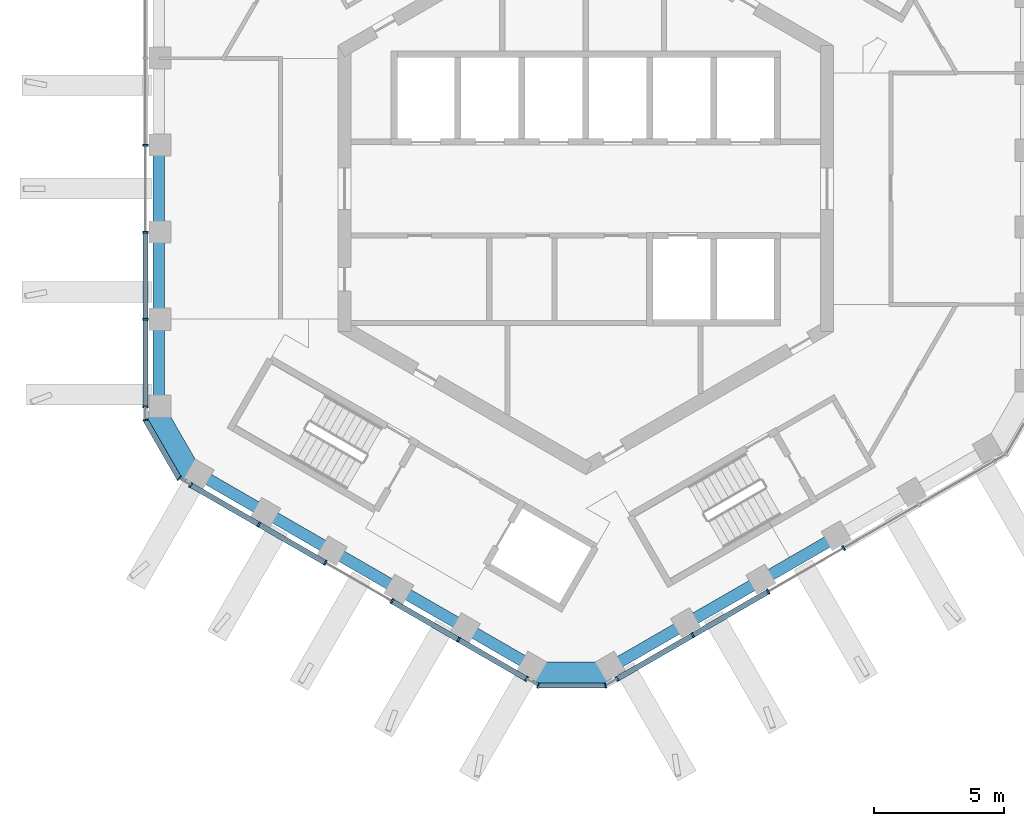
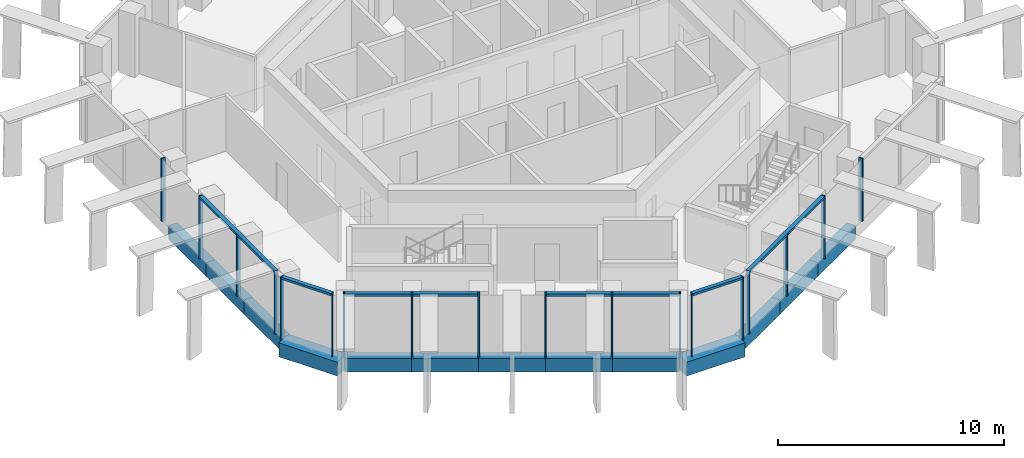
# One storey, part 2 of 17: 24 members, 13 beams, 5 elements without a shape of their own.
"""IFC4 building model written with IfcOpenShell, lengths in metres."""

from ifc_helpers import new_model, si_unit, direction, frame, origin, origin_2d, place, context, subcontext, project, spatial, rectangle, extrude, material, layer, layer_set, material_profile, profile_set, type_object, element, aggregate, save


model = new_model("IFC4")

# Units and contexts
model_context = context("Model", 3, precision=1e-05, world=origin(), true_north=direction((0.0, 1.0)))
body_context = subcontext(model_context, "Body", "Model", "MODEL_VIEW")
ifc_project = project(units=[si_unit("LENGTHUNIT", "METRE"), si_unit("AREAUNIT", "SQUARE_METRE"), si_unit("VOLUMEUNIT", "CUBIC_METRE"), si_unit("PLANEANGLEUNIT", "RADIAN"), si_unit("MASSUNIT", "GRAM", prefix="KILO")], contexts=[model_context])

# Site, building, storey
site_placement = place(None, origin())
site = spatial("IfcSite", under=ifc_project, at=site_placement, CompositionType="ELEMENT")
building_placement = place(site_placement, origin())
building = spatial("IfcBuilding", under=site, at=building_placement, Name="Ayvan Gate Tower", CompositionType="ELEMENT")
storey_placement = place(building_placement, frame((0.0, 0.0, 249.5)))
storey = spatial("IfcBuildingStorey", under=building, at=storey_placement, Name="L67", CompositionType="ELEMENT", Elevation=249.5)

# Beams
ifc_material_1 = material(Name="Concrete C40/50", Category="concrete")
ifc_material_profile_1 = material_profile(ifc_material_1, rectangle(XDim=0.800048828125, YDim=0.75, at=origin_2d()), Name="RC 800x750")
ifc_profile_set_1 = profile_set([ifc_material_profile_1], Name="Concrete C40/50")
beam_type_1 = type_object("IfcBeamType", Name="Corner spandrel beam RC 800x750 C40/50", PredefinedType="BEAM", material=ifc_profile_set_1)
for number, where, z_axis, x_axis, name in (
    (1, (-16.556640625, -8.428955078125, -0.72509765625), (0.499990139034, -0.866031096941, 0.0), (0.866031096941, 0.499990139034, 0.0), "SB-L67-24"),
    (2, (-2.021484375, -18.552978515625, -0.72509765625), (1.0, 0.0, 0.0), (0.0, 1.0, 0.0), "SB-L67-30"),
):
    element("IfcBeam", number, at=place(storey_placement, frame(where, z_axis=z_axis, x_axis=x_axis)), inside=storey, type_object=beam_type_1, Name=name, PredefinedType="BEAM", context=body_context, shape_type="SweptSolid", body=[
        extrude(rectangle(XDim=0.800048828125, YDim=0.75, at=origin_2d()), origin(), (0.0, 0.0, 1.0), 3.0),
    ])
ifc_material_profile_2 = material_profile(ifc_material_1, rectangle(XDim=0.449951171875, YDim=0.75, at=origin_2d()), Name="RC 450x750")
ifc_profile_set_2 = profile_set([ifc_material_profile_2], Name="Concrete C40/50")
beam_type_2 = type_object("IfcBeamType", Name="Spandrel beam RC 450x750 C40/50", PredefinedType="BEAM", material=ifc_profile_set_2)
for number, where, z_axis, x_axis, name in (
    (3, (-16.365966796875, 1.663818359375, -0.72509765625), (0.0, -1.0, 0.0), (1.0, 0.0, 0.0), "SB-L67-21"),
    (4, (-16.365966796875, -1.663818359375, -0.72509765625), (0.0, -1.0, 0.0), (1.0, 0.0, 0.0), "SB-L67-22"),
    (5, (-16.365966796875, -4.991455078125, -0.72509765625), (0.0, -1.0, 0.0), (1.0, 0.0, 0.0), "SB-L67-23"),
):
    element("IfcBeam", number, at=place(storey_placement, frame(where, z_axis=z_axis, x_axis=x_axis)), inside=storey, type_object=beam_type_2, Name=name, PredefinedType="BEAM", context=body_context, shape_type="SweptSolid", body=[
        extrude(rectangle(XDim=0.449951171875, YDim=0.75, at=origin_2d()), origin(), (0.0, 0.0, 1.0), 3.32763671875),
    ])
for number, where, z_axis, x_axis, name in (
    (6, (-14.865966796875, -10.9169921875, -0.72509765625), (0.866021110356, -0.500007436363, 0.0), (0.500007436363, 0.866021110356, 0.0), "SB-L67-25"),
    (7, (-12.297119140625, -12.400146484375, -0.72509765625), (0.866021110356, -0.500007436363, 0.0), (0.500007436363, 0.866021110356, 0.0), "SB-L67-26"),
):
    element("IfcBeam", number, at=place(storey_placement, frame(where, z_axis=z_axis, x_axis=x_axis)), inside=storey, type_object=beam_type_2, Name=name, PredefinedType="BEAM", context=body_context, shape_type="SweptSolid", body=[
        extrude(rectangle(XDim=0.449951171875, YDim=0.75, at=origin_2d()), origin(), (0.0, 0.0, 1.0), 2.96630859375),
    ])
beam_placement = place(storey_placement, frame((-9.728271484375, -13.88330078125, -0.72509765625), z_axis=(0.866006048917, -0.500033522115, 0.0), x_axis=(0.500033522115, 0.866006048917, 0.0)))
element("IfcBeam", 8, at=beam_placement, inside=storey, type_object=beam_type_2, Name="SB-L67-27", PredefinedType="BEAM", context=body_context, shape_type="SweptSolid", body=[
    extrude(rectangle(XDim=0.449951171875, YDim=0.75, at=origin_2d()), origin(), (0.0, 0.0, 1.0), 2.966552734375),
])
for number, where, z_axis, x_axis, name in (
    (9, (-7.1591796875, -15.36669921875, -0.72509765625), (0.866021110356, -0.500007436363, 0.0), (0.500007436363, 0.866021110356, 0.0), "SB-L67-28"),
    (10, (-4.59033203125, -16.849853515625, -0.72509765625), (0.866021110356, -0.500007436363, 0.0), (0.500007436363, 0.866021110356, 0.0), "SB-L67-29"),
):
    element("IfcBeam", number, at=place(storey_placement, frame(where, z_axis=z_axis, x_axis=x_axis)), inside=storey, type_object=beam_type_2, Name=name, PredefinedType="BEAM", context=body_context, shape_type="SweptSolid", body=[
        extrude(rectangle(XDim=0.449951171875, YDim=0.75, at=origin_2d()), origin(), (0.0, 0.0, 1.0), 2.96630859375),
    ])
for number, where, z_axis, x_axis, name in (
    (11, (0.978515625, -18.3330078125, -0.72509765625), (0.866026756424, 0.499997657153, 0.0), (-0.499997657153, 0.866026756424, 0.0), "SB-L67-31"),
    (12, (3.8603515625, -16.669189453125, -0.72509765625), (0.866026756424, 0.499997657153, 0.0), (-0.499997657153, 0.866026756424, 0.0), "SB-L67-32"),
    (13, (6.7421875, -15.00537109375, -0.72509765625), (0.866026756424, 0.499997657153, 0.0), (-0.499997657153, 0.866026756424, 0.0), "SB-L67-33"),
):
    element("IfcBeam", number, at=place(storey_placement, frame(where, z_axis=z_axis, x_axis=x_axis)), inside=storey, type_object=beam_type_2, Name=name, PredefinedType="BEAM", context=body_context, shape_type="SweptSolid", body=[
        extrude(rectangle(XDim=0.449951171875, YDim=0.75, at=origin_2d()), origin(), (0.0, 0.0, 1.0), 3.32763671875),
    ])

# Curtain wall, members
ifc_material_2 = material(Name="Bronze anodised aluminium", Category="aluminium")
ifc_layer_1 = layer(ifc_material_2, 0.199951171875)
ifc_layer_set_1 = layer_set([ifc_layer_1], Name="Bronze anodised aluminium")
curtain_wall_type_1 = type_object("IfcCurtainWallType", Name="Stick curtain wall CW-2", PredefinedType="NOTDEFINED", material=ifc_layer_set_1)
curtain_wall_1_placement = place(storey_placement, origin())
curtain_wall_1 = element("IfcCurtainWall", 14, at=curtain_wall_1_placement, inside=storey, type_object=curtain_wall_type_1, Name="Stick curtain wall CW-2 L67", PredefinedType="NOTDEFINED")
ifc_material_profile_3 = material_profile(ifc_material_2, rectangle(XDim=0.199951171875, YDim=0.070068359375, at=origin_2d()), Name="Stick curtain wall CW-2 mullion 200 x 70")
ifc_profile_set_3 = profile_set([ifc_material_profile_3], Name="Bronze anodised aluminium")
member_type_1 = type_object("IfcMemberType", Name="Stick curtain wall CW-2 mullion 200 x 70", PredefinedType="MULLION", material=ifc_profile_set_3)
member_1_placement = place(storey_placement, frame((-16.87841796875, 1.66845703125, 0.0), z_axis=(0.0, 0.0, 1.0), x_axis=(-1.0, 0.0, 0.0)))
member_1 = element("IfcMember", 15, at=member_1_placement, type_object=member_type_1, Name="CW-2 mullion 3", PredefinedType="MULLION", context=body_context, shape_type="SweptSolid", body=[
    extrude(rectangle(XDim=0.199951171875, YDim=0.070068359375, at=origin_2d()), origin(), (0.0, 0.0, 1.0), 3.39990234375),
])
member_2_placement = place(storey_placement, frame((-16.87841796875, -1.66845703125, 0.0), z_axis=(0.0, 0.0, 1.0), x_axis=(-1.0, 0.0, 0.0)))
member_2 = element("IfcMember", 16, at=member_2_placement, type_object=member_type_1, Name="CW-2 mullion 4", PredefinedType="MULLION", context=body_context, shape_type="SweptSolid", body=[
    extrude(rectangle(XDim=0.199951171875, YDim=0.070068359375, at=origin_2d()), origin(), (0.0, 0.0, 1.0), 3.39990234375),
])
member_3_placement = place(storey_placement, frame((-16.87841796875, -5.006591796875, 0.0), z_axis=(0.0, 0.0, 1.0), x_axis=(-1.0, 0.0, 0.0)))
member_3 = element("IfcMember", 17, at=member_3_placement, type_object=member_type_1, Name="CW-2 mullion 5", PredefinedType="MULLION", context=body_context, shape_type="SweptSolid", body=[
    extrude(rectangle(XDim=0.199951171875, YDim=0.070068359375, at=origin_2d()), origin(), (0.0, 0.0, 1.0), 3.39990234375),
])
member_4_placement = place(storey_placement, frame((-16.87841796875, -8.3603515625, 0.0), z_axis=(0.0, 0.0, 1.0), x_axis=(-1.0, 0.0, 0.0)))
member_4 = element("IfcMember", 18, at=member_4_placement, type_object=member_type_1, Name="CW-2 mullion 6", PredefinedType="MULLION", context=body_context, shape_type="SweptSolid", body=[
    extrude(rectangle(XDim=0.199951171875, YDim=0.070068359375, at=origin_2d()), origin(), (0.0, 0.0, 1.0), 3.39990234375),
])

curtain_wall_2_placement = place(storey_placement, origin())
curtain_wall_2 = element("IfcCurtainWall", 19, at=curtain_wall_2_placement, inside=storey, type_object=curtain_wall_type_1, Name="Stick curtain wall CW-2 L67", PredefinedType="NOTDEFINED")
member_5_placement = place(storey_placement, frame((-15.1455078125, -11.362060546875, 0.0), z_axis=(0.0, 0.0, 1.0), x_axis=(-0.5, -0.866025403784, 0.0)))
member_5 = element("IfcMember", 20, at=member_5_placement, type_object=member_type_1, Name="CW-2 mullion 1", PredefinedType="MULLION", context=body_context, shape_type="SweptSolid", body=[
    extrude(rectangle(XDim=0.199951171875, YDim=0.070068359375, at=origin_2d()), origin(), (0.0, 0.0, 1.0), 3.39990234375),
])
member_6_placement = place(storey_placement, frame((-12.534423828125, -12.86962890625, 0.0), z_axis=(0.0, 0.0, 1.0), x_axis=(-0.5, -0.866025403784, 0.0)))
member_6 = element("IfcMember", 21, at=member_6_placement, type_object=member_type_1, Name="CW-2 mullion 2", PredefinedType="MULLION", context=body_context, shape_type="SweptSolid", body=[
    extrude(rectangle(XDim=0.199951171875, YDim=0.070068359375, at=origin_2d()), origin(), (0.0, 0.0, 1.0), 3.39990234375),
])
member_7_placement = place(storey_placement, frame((-9.982177734375, -14.343017578125, 0.0), z_axis=(0.0, 0.0, 1.0), x_axis=(-0.5, -0.866025403784, 0.0)))
member_7 = element("IfcMember", 22, at=member_7_placement, type_object=member_type_1, Name="CW-2 mullion 3", PredefinedType="MULLION", context=body_context, shape_type="SweptSolid", body=[
    extrude(rectangle(XDim=0.199951171875, YDim=0.070068359375, at=origin_2d()), origin(), (0.0, 0.0, 1.0), 3.39990234375),
])
member_8_placement = place(storey_placement, frame((-7.429931640625, -15.81640625, 0.0), z_axis=(0.0, 0.0, 1.0), x_axis=(-0.5, -0.866025403784, 0.0)))
member_8 = element("IfcMember", 23, at=member_8_placement, type_object=member_type_1, Name="CW-2 mullion 4", PredefinedType="MULLION", context=body_context, shape_type="SweptSolid", body=[
    extrude(rectangle(XDim=0.199951171875, YDim=0.070068359375, at=origin_2d()), origin(), (0.0, 0.0, 1.0), 3.39990234375),
])
member_9_placement = place(storey_placement, frame((-4.878662109375, -17.28955078125, 0.0), z_axis=(0.0, 0.0, 1.0), x_axis=(-0.5, -0.866025403784, 0.0)))
member_9 = element("IfcMember", 24, at=member_9_placement, type_object=member_type_1, Name="CW-2 mullion 5", PredefinedType="MULLION", context=body_context, shape_type="SweptSolid", body=[
    extrude(rectangle(XDim=0.199951171875, YDim=0.070068359375, at=origin_2d()), origin(), (0.0, 0.0, 1.0), 3.39990234375),
])
member_10_placement = place(storey_placement, frame((-2.26708984375, -18.79736328125, 0.0), z_axis=(0.0, 0.0, 1.0), x_axis=(-0.5, -0.866025403784, 0.0)))
member_10 = element("IfcMember", 25, at=member_10_placement, type_object=member_type_1, Name="CW-2 mullion 6", PredefinedType="MULLION", context=body_context, shape_type="SweptSolid", body=[
    extrude(rectangle(XDim=0.199951171875, YDim=0.070068359375, at=origin_2d()), origin(), (0.0, 0.0, 1.0), 3.39990234375),
])

curtain_wall_3_placement = place(storey_placement, origin())
curtain_wall_3 = element("IfcCurtainWall", 26, at=curtain_wall_3_placement, inside=storey, type_object=curtain_wall_type_1, Name="Stick curtain wall CW-2 L67", PredefinedType="NOTDEFINED")
member_11_placement = place(storey_placement, frame((1.19873046875, -18.79736328125, 0.0), z_axis=(0.0, 0.0, 1.0), x_axis=(0.5, -0.866025403784, 0.0)))
member_11 = element("IfcMember", 27, at=member_11_placement, type_object=member_type_1, Name="CW-2 mullion 1", PredefinedType="MULLION", context=body_context, shape_type="SweptSolid", body=[
    extrude(rectangle(XDim=0.199951171875, YDim=0.070068359375, at=origin_2d()), origin(), (0.0, 0.0, 1.0), 3.39990234375),
])
member_12_placement = place(storey_placement, frame((4.103515625, -17.120361328125, 0.0), z_axis=(0.0, 0.0, 1.0), x_axis=(0.5, -0.866025403784, 0.0)))
member_12 = element("IfcMember", 28, at=member_12_placement, type_object=member_type_1, Name="CW-2 mullion 2", PredefinedType="MULLION", context=body_context, shape_type="SweptSolid", body=[
    extrude(rectangle(XDim=0.199951171875, YDim=0.070068359375, at=origin_2d()), origin(), (0.0, 0.0, 1.0), 3.39990234375),
])
member_13_placement = place(storey_placement, frame((6.994384765625, -15.451416015625, 0.0), z_axis=(0.0, 0.0, 1.0), x_axis=(0.5, -0.866025403784, 0.0)))
member_13 = element("IfcMember", 29, at=member_13_placement, type_object=member_type_1, Name="CW-2 mullion 3", PredefinedType="MULLION", context=body_context, shape_type="SweptSolid", body=[
    extrude(rectangle(XDim=0.199951171875, YDim=0.070068359375, at=origin_2d()), origin(), (0.0, 0.0, 1.0), 3.39990234375),
])
member_14_placement = place(storey_placement, frame((9.88427734375, -13.78271484375, 0.0), z_axis=(0.0, 0.0, 1.0), x_axis=(0.5, -0.866025403784, 0.0)))
member_14 = element("IfcMember", 30, at=member_14_placement, type_object=member_type_1, Name="CW-2 mullion 4", PredefinedType="MULLION", context=body_context, shape_type="SweptSolid", body=[
    extrude(rectangle(XDim=0.199951171875, YDim=0.070068359375, at=origin_2d()), origin(), (0.0, 0.0, 1.0), 3.39990234375),
])

# Member
ifc_material_profile_4 = material_profile(ifc_material_2, rectangle(XDim=0.199951171875, YDim=0.1201171875, at=origin_2d()), Name="Stick curtain wall CW-2 transom 200 x 120")
ifc_profile_set_4 = profile_set([ifc_material_profile_4], Name="Bronze anodised aluminium")
member_type_2 = type_object("IfcMemberType", Name="Stick curtain wall CW-2 transom 200 x 120", PredefinedType="USERDEFINED", material=ifc_profile_set_4)
member_15_placement = place(storey_placement, frame((-16.87841796875, -1.70361328125, 3.340087890625), z_axis=(0.0, -1.0, 0.0), x_axis=(1.0, 0.0, 0.0)))
member_15 = element("IfcMember", 31, at=member_15_placement, type_object=member_type_2, Name="CW-2 transom 2", ObjectType="TRANSOM", PredefinedType="USERDEFINED", context=body_context, shape_type="SweptSolid", body=[
    extrude(rectangle(XDim=0.199951171875, YDim=0.1201171875, at=origin_2d()), origin(), (0.0, 0.0, 1.0), 6.65673828125),
])

aggregate(curtain_wall_1, [member_1, member_2, member_3, member_4, member_15])

member_16_placement = place(storey_placement, frame((-15.1455078125, -11.362060546875, 3.340087890625), z_axis=(0.86603948351, -0.499975612407, 0.0), x_axis=(0.499975612407, 0.86603948351, 0.0)))
member_16 = element("IfcMember", 32, at=member_16_placement, type_object=member_type_2, Name="CW-2 transom 1", ObjectType="TRANSOM", PredefinedType="USERDEFINED", context=body_context, shape_type="SweptSolid", body=[
    extrude(rectangle(XDim=0.199951171875, YDim=0.1201171875, at=origin_2d()), origin(), (0.0, 0.0, 1.0), 5.927001953125),
])

member_17_placement = place(storey_placement, frame((-7.399658203125, -15.833984375, 3.340087890625), z_axis=(0.866018887846, -0.500011285767, 0.0), x_axis=(0.500011285767, 0.866018887846, 0.0)))
member_17 = element("IfcMember", 33, at=member_17_placement, type_object=member_type_2, Name="CW-2 transom 2", ObjectType="TRANSOM", PredefinedType="USERDEFINED", context=body_context, shape_type="SweptSolid", body=[
    extrude(rectangle(XDim=0.199951171875, YDim=0.1201171875, at=origin_2d()), origin(), (0.0, 0.0, 1.0), 5.926513671875),
])

aggregate(curtain_wall_2, [member_5, member_6, member_7, member_8, member_9, member_10, member_16, member_17])

member_18_placement = place(storey_placement, frame((1.19873046875, -18.79736328125, 3.340087890625), z_axis=(0.866018245766, 0.500012397847, 0.0), x_axis=(-0.500012397847, 0.866018245766, 0.0)))
member_18 = element("IfcMember", 34, at=member_18_placement, type_object=member_type_2, Name="CW-2 transom 1", ObjectType="TRANSOM", PredefinedType="USERDEFINED", context=body_context, shape_type="SweptSolid", body=[
    extrude(rectangle(XDim=0.199951171875, YDim=0.1201171875, at=origin_2d()), origin(), (0.0, 0.0, 1.0), 6.656982421875),
])

aggregate(curtain_wall_3, [member_11, member_12, member_13, member_14, member_18])

# Curtain wall, members
ifc_layer_2 = layer(ifc_material_2, 0.199951171875)
ifc_layer_set_2 = layer_set([ifc_layer_2], Name="Bronze anodised aluminium")
curtain_wall_type_2 = type_object("IfcCurtainWallType", Name="Stick curtain wall CW-6", PredefinedType="NOTDEFINED", material=ifc_layer_set_2)
curtain_wall_4_placement = place(storey_placement, origin())
curtain_wall_4 = element("IfcCurtainWall", 35, at=curtain_wall_4_placement, inside=storey, type_object=curtain_wall_type_2, Name="Stick curtain wall CW-6 L67", PredefinedType="NOTDEFINED")
ifc_material_profile_5 = material_profile(ifc_material_2, rectangle(XDim=0.199951171875, YDim=0.050048828125, at=origin_2d()), Name="Stick curtain wall CW-6 mullion 200 x 50")
ifc_profile_set_5 = profile_set([ifc_material_profile_5], Name="Bronze anodised aluminium")
member_type_3 = type_object("IfcMemberType", Name="Stick curtain wall CW-6 mullion 200 x 50", PredefinedType="MULLION", material=ifc_profile_set_5)
member_19_placement = place(storey_placement, frame((-16.87841796875, -8.870361328125, 0.0), z_axis=(0.0, 0.0, 1.0), x_axis=(-0.965925826289, -0.258819045103, 0.0)))
member_19 = element("IfcMember", 36, at=member_19_placement, type_object=member_type_3, Name="CW-6 mullion 2", PredefinedType="MULLION", context=body_context, shape_type="SweptSolid", body=[
    extrude(rectangle(XDim=0.199951171875, YDim=0.050048828125, at=origin_2d()), origin(), (0.0, 0.0, 1.0), 3.39990234375),
])
member_20_placement = place(storey_placement, frame((-15.587158203125, -11.10693359375, 0.0), z_axis=(0.0, 0.0, 1.0), x_axis=(-0.707106781187, -0.707106781187, 0.0)))
member_20 = element("IfcMember", 37, at=member_20_placement, type_object=member_type_3, Name="CW-6 mullion 3", PredefinedType="MULLION", context=body_context, shape_type="SweptSolid", body=[
    extrude(rectangle(XDim=0.199951171875, YDim=0.050048828125, at=origin_2d()), origin(), (0.0, 0.0, 1.0), 3.39990234375),
])

curtain_wall_5_placement = place(storey_placement, origin())
curtain_wall_5 = element("IfcCurtainWall", 38, at=curtain_wall_5_placement, inside=storey, type_object=curtain_wall_type_2, Name="Stick curtain wall CW-6 L67", PredefinedType="NOTDEFINED")
member_21_placement = place(storey_placement, frame((-1.825439453125, -19.05224609375, 0.0), z_axis=(0.0, 0.0, 1.0), x_axis=(-0.258819045103, -0.965925826289, 0.0)))
member_21 = element("IfcMember", 39, at=member_21_placement, type_object=member_type_3, Name="CW-6 mullion 2", PredefinedType="MULLION", context=body_context, shape_type="SweptSolid", body=[
    extrude(rectangle(XDim=0.199951171875, YDim=0.050048828125, at=origin_2d()), origin(), (0.0, 0.0, 1.0), 3.39990234375),
])
member_22_placement = place(storey_placement, frame((0.757080078125, -19.05224609375, 0.0), z_axis=(0.0, 0.0, 1.0), x_axis=(0.258819045103, -0.965925826289, 0.0)))
member_22 = element("IfcMember", 40, at=member_22_placement, type_object=member_type_3, Name="CW-6 mullion 3", PredefinedType="MULLION", context=body_context, shape_type="SweptSolid", body=[
    extrude(rectangle(XDim=0.199951171875, YDim=0.050048828125, at=origin_2d()), origin(), (0.0, 0.0, 1.0), 3.39990234375),
])

# Member
ifc_material_profile_6 = material_profile(ifc_material_2, rectangle(XDim=0.199951171875, YDim=0.1201171875, at=origin_2d()), Name="Stick curtain wall CW-6 transom 200 x 120")
ifc_profile_set_6 = profile_set([ifc_material_profile_6], Name="Bronze anodised aluminium")
member_type_4 = type_object("IfcMemberType", Name="Stick curtain wall CW-6 transom 200 x 120", PredefinedType="USERDEFINED", material=ifc_profile_set_6)
member_23_placement = place(storey_placement, frame((-16.865966796875, -8.89208984375, 3.340087890625), z_axis=(0.500006158363, -0.866021848223, 0.0), x_axis=(0.866021848223, 0.500006158363, 0.0)))
member_23 = element("IfcMember", 41, at=member_23_placement, type_object=member_type_4, Name="CW-6 transom 2", ObjectType="TRANSOM", PredefinedType="USERDEFINED", context=body_context, shape_type="SweptSolid", body=[
    extrude(rectangle(XDim=0.199951171875, YDim=0.1201171875, at=origin_2d()), origin(), (0.0, 0.0, 1.0), 2.53271484375),
])

aggregate(curtain_wall_4, [member_19, member_20, member_23])

member_24_placement = place(storey_placement, frame((-1.80029296875, -19.05224609375, 3.340087890625), z_axis=(1.0, 0.0, 0.0), x_axis=(0.0, 1.0, 0.0)))
member_24 = element("IfcMember", 42, at=member_24_placement, type_object=member_type_4, Name="CW-6 transom 1", ObjectType="TRANSOM", PredefinedType="USERDEFINED", context=body_context, shape_type="SweptSolid", body=[
    extrude(rectangle(XDim=0.199951171875, YDim=0.1201171875, at=origin_2d()), origin(), (0.0, 0.0, 1.0), 2.532470703125),
])

aggregate(curtain_wall_5, [member_21, member_22, member_24])

save(model, "model.ifc")
